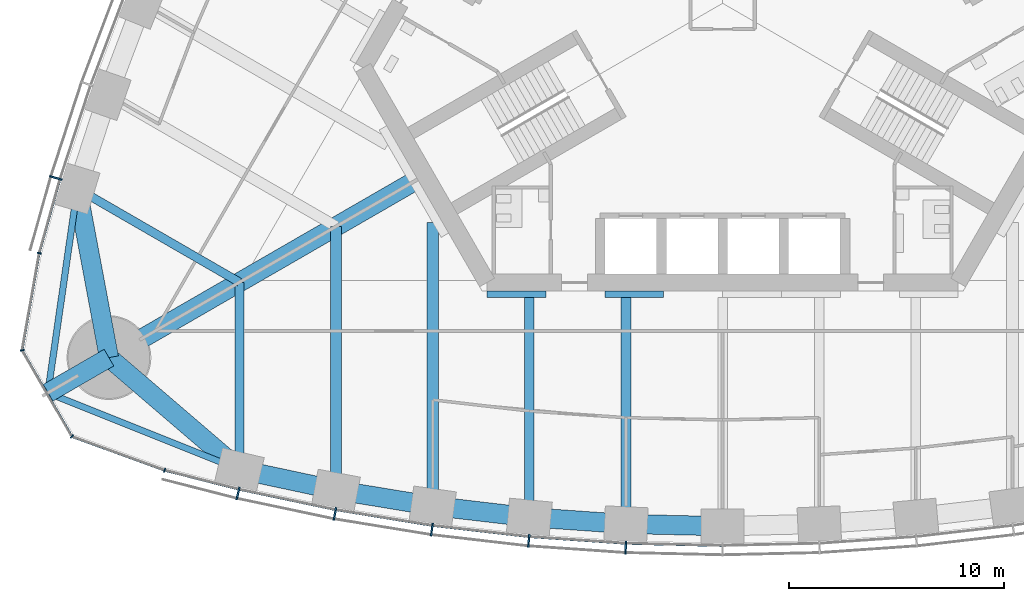
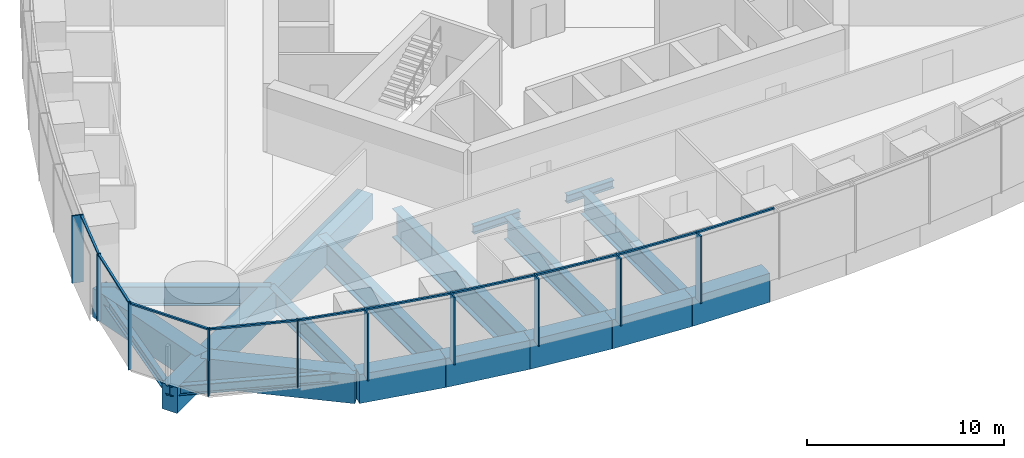
# One storey, part 2 of 19: 20 members, 19 beams, 3 elements without a shape of their own.
"""IFC4 building model written with IfcOpenShell, lengths in metres."""

from ifc_helpers import new_model, si_unit, direction, frame, origin, origin_2d, place, context, subcontext, project, spatial, rectangle, i_section, extrude, material, material_profile, profile_set, type_object, element, aggregate, save


model = new_model("IFC4")

# Units and contexts
model_context = context("Model", 3, precision=1e-05, world=origin(), true_north=direction((0.0, 1.0)))
body_context = subcontext(model_context, "Body", "Model", "MODEL_VIEW")
ifc_project = project(units=[si_unit("LENGTHUNIT", "METRE"), si_unit("AREAUNIT", "SQUARE_METRE"), si_unit("VOLUMEUNIT", "CUBIC_METRE"), si_unit("PLANEANGLEUNIT", "RADIAN"), si_unit("MASSUNIT", "GRAM", prefix="KILO")], contexts=[model_context])

# Site, building, storey
site_placement = place(None, origin())
site = spatial("IfcSite", under=ifc_project, at=site_placement, CompositionType="ELEMENT")
building_placement = place(site_placement, origin())
building = spatial("IfcBuilding", under=site, at=building_placement, Name="Trefoil Bronze Tower", CompositionType="ELEMENT")
storey_placement = place(building_placement, frame((0.0, 0.0, 193.89990234375)))
storey = spatial("IfcBuildingStorey", under=building, at=storey_placement, Name="L44", CompositionType="ELEMENT", Elevation=193.89990234375)

# Curtain wall, members
ifc_material_1 = material(Name="Tinted solar-control glass", Category="glass")
curtain_wall_type_1 = type_object("IfcCurtainWallType", Name="Bronze office curtain wall", PredefinedType="USERDEFINED", material=ifc_material_1)
curtain_wall_1_placement = place(storey_placement, origin())
curtain_wall_1 = element("IfcCurtainWall", 1, at=curtain_wall_1_placement, inside=storey, type_object=curtain_wall_type_1, Name="CW-A L44 F1", ObjectType="CURTAIN WALL", PredefinedType="USERDEFINED")
ifc_material_2 = material(Name="Bronze-finish aluminium", Category="aluminium")
ifc_material_profile_1 = material_profile(ifc_material_2, rectangle(XDim=0.60009765625, YDim=0.080078125, at=origin_2d()), Name="CW-A mullion")
ifc_profile_set_1 = profile_set([ifc_material_profile_1], Name="Bronze-finish aluminium")
member_type_1 = type_object("IfcMemberType", Name="Bronze office curtain wall mullion", PredefinedType="MULLION", material=ifc_profile_set_1)
member_1_placement = place(storey_placement, frame((-22.568115234375, -22.82421875, 0.0), z_axis=(0.0, 0.0, 1.0), x_axis=(0.227082662569, 0.973875487093, 0.0)))
member_1 = element("IfcMember", 2, at=member_1_placement, type_object=member_type_1, Name="CW-A L44 F1 mullion 2", PredefinedType="MULLION", context=body_context, shape_type="SweptSolid", body=[
    extrude(rectangle(XDim=0.60009765625, YDim=0.080078125, at=origin_2d()), origin(), (0.0, 0.0, 1.0), 4.18017578125),
])
member_2_placement = place(storey_placement, frame((-18.05517578125, -23.77783203125, 0.0), z_axis=(0.0, 0.0, 1.0), x_axis=(0.183825368167, 0.982958917767, 0.0)))
member_2 = element("IfcMember", 3, at=member_2_placement, type_object=member_type_1, Name="CW-A L44 F1 mullion 3", PredefinedType="MULLION", context=body_context, shape_type="SweptSolid", body=[
    extrude(rectangle(XDim=0.60009765625, YDim=0.080078125, at=origin_2d()), origin(), (0.0, 0.0, 1.0), 4.18017578125),
])
member_3_placement = place(storey_placement, frame((-13.541259765625, -24.51318359375, 0.0), z_axis=(0.0, 0.0, 1.0), x_axis=(0.137867887204, 0.990450627582, 0.0)))
member_3 = element("IfcMember", 4, at=member_3_placement, type_object=member_type_1, Name="CW-A L44 F1 mullion 4", PredefinedType="MULLION", context=body_context, shape_type="SweptSolid", body=[
    extrude(rectangle(XDim=0.60009765625, YDim=0.080078125, at=origin_2d()), origin(), (0.0, 0.0, 1.0), 4.18017578125),
])
member_4_placement = place(storey_placement, frame((-9.027587890625, -25.03515625, 0.0), z_axis=(0.0, 0.0, 1.0), x_axis=(0.091911396394, 0.995767189263, 0.0)))
member_4 = element("IfcMember", 5, at=member_4_placement, type_object=member_type_1, Name="CW-A L44 F1 mullion 5", PredefinedType="MULLION", context=body_context, shape_type="SweptSolid", body=[
    extrude(rectangle(XDim=0.60009765625, YDim=0.080078125, at=origin_2d()), origin(), (0.0, 0.0, 1.0), 4.18017578125),
])
member_5_placement = place(storey_placement, frame((-4.513671875, -25.346923828125, 0.0), z_axis=(0.0, 0.0, 1.0), x_axis=(0.045955542372, 0.998943485952, 0.0)))
member_5 = element("IfcMember", 6, at=member_5_placement, type_object=member_type_1, Name="CW-A L44 F1 mullion 6", PredefinedType="MULLION", context=body_context, shape_type="SweptSolid", body=[
    extrude(rectangle(XDim=0.60009765625, YDim=0.080078125, at=origin_2d()), origin(), (0.0, 0.0, 1.0), 4.18017578125),
])

# Curtain wall, member
curtain_wall_2_placement = place(storey_placement, origin())
curtain_wall_2 = element("IfcCurtainWall", 7, at=curtain_wall_2_placement, inside=storey, type_object=curtain_wall_type_1, Name="CW-A L44 F3", ObjectType="CURTAIN WALL", PredefinedType="USERDEFINED")
member_6_placement = place(storey_placement, frame((-31.05029296875, -8.132568359375, 0.0), z_axis=(0.0, 0.0, 1.0), x_axis=(0.95694224323, -0.290278389002, 0.0)))
member_6 = element("IfcMember", 8, at=member_6_placement, type_object=member_type_1, Name="CW-A L44 F3 mullion 12", PredefinedType="MULLION", context=body_context, shape_type="SweptSolid", body=[
    extrude(rectangle(XDim=0.60009765625, YDim=0.080078125, at=origin_2d()), origin(), (0.0, 0.0, 1.0), 4.18017578125),
])

# Member
ifc_material_3 = material(Name="Bronze-finish aluminium", Category="aluminium")
ifc_material_profile_2 = material_profile(ifc_material_3, rectangle(XDim=0.1201171875, YDim=0.10009765625, at=origin_2d()), Name="CW-A transom")
ifc_profile_set_2 = profile_set([ifc_material_profile_2], Name="Bronze-finish aluminium")
member_type_2 = type_object("IfcMemberType", Name="Bronze office curtain wall transom", PredefinedType="USERDEFINED", material=ifc_profile_set_2)
member_7_placement = place(storey_placement, frame((-25.93896484375, -21.75732421875, 4.130126953125), z_axis=(0.968935220916, -0.247314653162, 0.0), x_axis=(0.247314653162, 0.968935220916, 0.0)))
member_7 = element("IfcMember", 9, at=member_7_placement, type_object=member_type_2, Name="CW-A L44 F1 transom 1", ObjectType="TRANSOM", PredefinedType="USERDEFINED", context=body_context, shape_type="SweptSolid", body=[
    extrude(rectangle(XDim=0.1201171875, YDim=0.10009765625, at=origin_2d()), origin(), (0.0, 0.0, 1.0), 3.483642578125),
])

member_8_placement = place(storey_placement, frame((-22.4814453125, -22.63818359375, 4.130126953125), z_axis=(0.978395325657, -0.20674280334, 0.0), x_axis=(0.20674280334, 0.978395325657, 0.0)))
member_8 = element("IfcMember", 10, at=member_8_placement, type_object=member_type_2, Name="CW-A L44 F1 transom 2", ObjectType="TRANSOM", PredefinedType="USERDEFINED", context=body_context, shape_type="SweptSolid", body=[
    extrude(rectangle(XDim=0.1201171875, YDim=0.10009765625, at=origin_2d()), origin(), (0.0, 0.0, 1.0), 4.519287109375),
])

member_9_placement = place(storey_placement, frame((-17.9765625, -23.588134765625, 4.130126953125), z_axis=(0.986988367046, -0.160791676761, 0.0), x_axis=(0.160791676761, 0.986988367046, 0.0)))
member_9 = element("IfcMember", 11, at=member_9_placement, type_object=member_type_2, Name="CW-A L44 F1 transom 3", ObjectType="TRANSOM", PredefinedType="USERDEFINED", context=body_context, shape_type="SweptSolid", body=[
    extrude(rectangle(XDim=0.1201171875, YDim=0.10009765625, at=origin_2d()), origin(), (0.0, 0.0, 1.0), 4.479248046875),
])

member_10_placement = place(storey_placement, frame((-13.4716796875, -24.320068359375, 4.130126953125), z_axis=(0.993384885596, -0.114832352013, 0.0), x_axis=(0.114832352013, 0.993384885596, 0.0)))
member_10 = element("IfcMember", 12, at=member_10_placement, type_object=member_type_2, Name="CW-A L44 F1 transom 4", ObjectType="TRANSOM", PredefinedType="USERDEFINED", context=body_context, shape_type="SweptSolid", body=[
    extrude(rectangle(XDim=0.1201171875, YDim=0.10009765625, at=origin_2d()), origin(), (0.0, 0.0, 1.0), 4.449951171875),
])

member_11_placement = place(storey_placement, frame((-8.967041015625, -24.8388671875, 4.130126953125), z_axis=(0.997621320987, -0.06893257512, 0.0), x_axis=(0.06893257512, 0.997621320987, 0.0)))
member_11 = element("IfcMember", 13, at=member_11_placement, type_object=member_type_2, Name="CW-A L44 F1 transom 5", ObjectType="TRANSOM", PredefinedType="USERDEFINED", context=body_context, shape_type="SweptSolid", body=[
    extrude(rectangle(XDim=0.1201171875, YDim=0.10009765625, at=origin_2d()), origin(), (0.0, 0.0, 1.0), 4.4306640625),
])

member_12_placement = place(storey_placement, frame((-4.46240234375, -25.148193359375, 4.130126953125), z_axis=(0.999736131416, -0.022971015226, 0.0), x_axis=(0.022971015226, 0.999736131416, 0.0)))
member_12 = element("IfcMember", 14, at=member_12_placement, type_object=member_type_2, Name="CW-A L44 F1 transom 6", ObjectType="TRANSOM", PredefinedType="USERDEFINED", context=body_context, shape_type="SweptSolid", body=[
    extrude(rectangle(XDim=0.1201171875, YDim=0.10009765625, at=origin_2d()), origin(), (0.0, 0.0, 1.0), 4.42138671875),
])

aggregate(curtain_wall_1, [member_1, member_2, member_3, member_4, member_5, member_7, member_8, member_9, member_10, member_11, member_12])

member_13_placement = place(storey_placement, frame((-30.870361328125, -8.23095703125, 4.130126953125), z_axis=(-0.270284880437, -0.962780392097, 0.0), x_axis=(0.962780392097, -0.270284880437, 0.0)))
member_13 = element("IfcMember", 15, at=member_13_placement, type_object=member_type_2, Name="CW-A L44 F3 transom 12", ObjectType="TRANSOM", PredefinedType="USERDEFINED", context=body_context, shape_type="SweptSolid", body=[
    extrude(rectangle(XDim=0.1201171875, YDim=0.10009765625, at=origin_2d()), origin(), (0.0, 0.0, 1.0), 3.48388671875),
])

aggregate(curtain_wall_2, [member_6, member_13])

# Curtain wall, members
ifc_material_4 = material(Name="Tinted solar-control glass", Category="glass")
curtain_wall_type_2 = type_object("IfcCurtainWallType", Name="Bronze rounded corner curtain wall", PredefinedType="USERDEFINED", material=ifc_material_4)
curtain_wall_3_placement = place(storey_placement, origin())
curtain_wall_3 = element("IfcCurtainWall", 16, at=curtain_wall_3_placement, inside=storey, type_object=curtain_wall_type_2, Name="CW-B L44 K3", ObjectType="CURTAIN WALL", PredefinedType="USERDEFINED")
ifc_material_5 = material(Name="Bronze-finish aluminium", Category="aluminium")
ifc_material_profile_3 = material_profile(ifc_material_5, rectangle(XDim=0.199951171875, YDim=0.06005859375, at=origin_2d()), Name="CW-B mullion")
ifc_profile_set_3 = profile_set([ifc_material_profile_3], Name="Bronze-finish aluminium")
member_type_3 = type_object("IfcMemberType", Name="Bronze rounded corner curtain wall mullion", PredefinedType="MULLION", material=ifc_profile_set_3)
member_14_placement = place(storey_placement, frame((-31.824951171875, -11.63330078125, 0.0), z_axis=(0.0, 0.0, 1.0), x_axis=(0.984807753012, -0.173648177667, 0.0)))
member_14 = element("IfcMember", 17, at=member_14_placement, type_object=member_type_3, Name="CW-B L44 K3 mullion 1", PredefinedType="MULLION", context=body_context, shape_type="SweptSolid", body=[
    extrude(rectangle(XDim=0.199951171875, YDim=0.06005859375, at=origin_2d()), origin(), (0.0, 0.0, 1.0), 4.18017578125),
])
member_15_placement = place(storey_placement, frame((-32.616943359375, -16.158935546875, 0.0), z_axis=(0.0, 0.0, 1.0), x_axis=(0.984807753012, 0.173648177667, 0.0)))
member_15 = element("IfcMember", 18, at=member_15_placement, type_object=member_type_3, Name="CW-B L44 K3 mullion 2", PredefinedType="MULLION", context=body_context, shape_type="SweptSolid", body=[
    extrude(rectangle(XDim=0.199951171875, YDim=0.06005859375, at=origin_2d()), origin(), (0.0, 0.0, 1.0), 4.18017578125),
])
member_16_placement = place(storey_placement, frame((-30.302490234375, -20.16748046875, 0.0), z_axis=(0.0, 0.0, 1.0), x_axis=(0.642787609687, 0.766044443119, 0.0)))
member_16 = element("IfcMember", 19, at=member_16_placement, type_object=member_type_3, Name="CW-B L44 K3 mullion 3", PredefinedType="MULLION", context=body_context, shape_type="SweptSolid", body=[
    extrude(rectangle(XDim=0.199951171875, YDim=0.06005859375, at=origin_2d()), origin(), (0.0, 0.0, 1.0), 4.18017578125),
])
member_17_placement = place(storey_placement, frame((-25.9873046875, -21.74462890625, 0.0), z_axis=(0.0, 0.0, 1.0), x_axis=(0.342020143326, 0.939692620786, 0.0)))
member_17 = element("IfcMember", 20, at=member_17_placement, type_object=member_type_3, Name="CW-B L44 K3 mullion 4", PredefinedType="MULLION", context=body_context, shape_type="SweptSolid", body=[
    extrude(rectangle(XDim=0.199951171875, YDim=0.06005859375, at=origin_2d()), origin(), (0.0, 0.0, 1.0), 4.18017578125),
])
ifc_material_6 = material(Name="Bronze-finish aluminium", Category="aluminium")
ifc_material_profile_4 = material_profile(ifc_material_6, rectangle(XDim=0.1201171875, YDim=0.10009765625, at=origin_2d()), Name="CW-B transom")
ifc_profile_set_4 = profile_set([ifc_material_profile_4], Name="Bronze-finish aluminium")
member_type_4 = type_object("IfcMemberType", Name="Bronze rounded corner curtain wall transom", PredefinedType="USERDEFINED", material=ifc_profile_set_4)
member_18_placement = place(storey_placement, frame((-31.830078125, -11.662841796875, 4.130126953125), z_axis=(-0.173655350028, -0.984806488304, 0.0), x_axis=(0.984806488304, -0.173655350028, 0.0)))
member_18 = element("IfcMember", 21, at=member_18_placement, type_object=member_type_4, Name="CW-B L44 K3 transom 1", ObjectType="TRANSOM", PredefinedType="USERDEFINED", context=body_context, shape_type="SweptSolid", body=[
    extrude(rectangle(XDim=0.1201171875, YDim=0.10009765625, at=origin_2d()), origin(), (0.0, 0.0, 1.0), 4.500244140625),
])
member_19_placement = place(storey_placement, frame((-32.590087890625, -16.217529296875, 4.130126953125), z_axis=(0.500007335828, -0.866021168401, 0.0), x_axis=(0.866021168401, 0.500007335828, 0.0)))
member_19 = element("IfcMember", 22, at=member_19_placement, type_object=member_type_4, Name="CW-B L44 K3 transom 2", ObjectType="TRANSOM", PredefinedType="USERDEFINED", context=body_context, shape_type="SweptSolid", body=[
    extrude(rectangle(XDim=0.1201171875, YDim=0.10009765625, at=origin_2d()), origin(), (0.0, 0.0, 1.0), 4.50048828125),
])
member_20_placement = place(storey_placement, frame((-30.244140625, -20.195068359375, 4.130126953125), z_axis=(0.939680910753, -0.342052314664, 0.0), x_axis=(0.342052314664, 0.939680910753, 0.0)))
member_20 = element("IfcMember", 23, at=member_20_placement, type_object=member_type_4, Name="CW-B L44 K3 transom 3", ObjectType="TRANSOM", PredefinedType="USERDEFINED", context=body_context, shape_type="SweptSolid", body=[
    extrude(rectangle(XDim=0.1201171875, YDim=0.10009765625, at=origin_2d()), origin(), (0.0, 0.0, 1.0), 4.500244140625),
])
aggregate(curtain_wall_3, [member_14, member_15, member_16, member_17, member_18, member_19, member_20])

# Beams
ifc_material_7 = material(Name="Steel C355", Category="steel")
ifc_material_profile_5 = material_profile(ifc_material_7, i_section(OverallWidth=0.300048828125, OverallDepth=0.5, WebThickness=0.014404296875, FlangeThickness=0.028076171875, FilletRadius=0.027099609375, at=origin_2d()), Name="HEB 500")
ifc_profile_set_5 = profile_set([ifc_material_profile_5], Name="Steel C355")
beam_type_1 = type_object("IfcBeamType", Name="Core seat beam HEB 500", PredefinedType="BEAM", material=ifc_profile_set_5)
for number, where, z_axis, x_axis, name in (
    (24, (-10.9697265625, -13.550048828125, -0.449951171875), (1.0, 0.0, 0.0), (0.0, 1.0, 0.0), "Core seat beam F1/-2 L44"),
    (25, (-5.48486328125, -13.550048828125, -0.449951171875), (1.0, 0.0, 0.0), (0.0, 1.0, 0.0), "Core seat beam F1/-1 L44"),
):
    element("IfcBeam", number, at=place(storey_placement, frame(where, z_axis=z_axis, x_axis=x_axis)), inside=storey, type_object=beam_type_1, Name=name, PredefinedType="BEAM", context=body_context, shape_type="SweptSolid", body=[
        extrude(i_section(OverallWidth=0.300048828125, OverallDepth=0.5, WebThickness=0.014404296875, FlangeThickness=0.028076171875, FilletRadius=0.027099609375, at=origin_2d()), origin(), (0.0, 0.0, 1.0), 2.742431640625),
    ])
ifc_material_8 = material(Name="Concrete B80", Category="concrete")
ifc_material_profile_6 = material_profile(ifc_material_8, rectangle(XDim=0.89990234375, YDim=1.60009765625, at=origin_2d()), Name="RC 900x1600")
ifc_profile_set_6 = profile_set([ifc_material_profile_6], Name="Concrete B80")
beam_type_2 = type_object("IfcBeamType", Name="Corner cantilever RC 900x1600", PredefinedType="BEAM", material=ifc_profile_set_6)
beam_1_placement = place(storey_placement, frame((-28.578857421875, -16.5, -1.0), z_axis=(-0.866016004958, -0.500016278891, 0.0), x_axis=(0.500016278891, -0.866016004958, 0.0)))
element("IfcBeam", 26, at=beam_1_placement, inside=storey, type_object=beam_type_2, Name="Corner cantilever K3 L44", PredefinedType="BEAM", context=body_context, shape_type="SweptSolid", body=[
    extrude(rectangle(XDim=0.89990234375, YDim=1.60009765625, at=origin_2d()), origin(), (0.0, 0.0, 1.0), 3.28466796875),
])
ifc_material_9 = material(Name="Steel C355", Category="steel")
ifc_material_profile_7 = material_profile(ifc_material_9, i_section(OverallWidth=0.300048828125, OverallDepth=0.60009765625, WebThickness=0.015380859375, FlangeThickness=0.030029296875, FilletRadius=0.027099609375, at=origin_2d()), Name="HEB 600")
ifc_profile_set_7 = profile_set([ifc_material_profile_7], Name="Steel C355")
beam_type_3 = type_object("IfcBeamType", Name="Corner edge beam HEB 600", PredefinedType="BEAM", material=ifc_profile_set_7)
for number, where, z_axis, x_axis, name in (
    (27, (-22.5, -21.71044921875, -0.5), (-0.92852048463, 0.371281173266, 0.0), (-0.371281173266, -0.92852048463, 0.0), "Corner edge beam F1B L44"),
    (28, (-30.052001953125, -8.63037109375, -0.5), (-0.142694489722, -0.989766781925, 0.0), (0.989766781925, -0.142694489722, 0.0), "Corner edge beam F3A L44"),
):
    element("IfcBeam", number, at=place(storey_placement, frame(where, z_axis=z_axis, x_axis=x_axis)), inside=storey, type_object=beam_type_3, Name=name, PredefinedType="BEAM", context=body_context, shape_type="SweptSolid", body=[
        extrude(i_section(OverallWidth=0.300048828125, OverallDepth=0.60009765625, WebThickness=0.015380859375, FlangeThickness=0.030029296875, FilletRadius=0.027099609375, at=origin_2d()), origin(), (0.0, 0.0, 1.0), 9.6103515625),
    ])
ifc_material_10 = material(Name="Concrete B80", Category="concrete")
ifc_material_profile_8 = material_profile(ifc_material_10, rectangle(XDim=0.89990234375, YDim=1.60009765625, at=origin_2d()), Name="RC 900x1600")
ifc_profile_set_8 = profile_set([ifc_material_profile_8], Name="Concrete B80")
beam_type_4 = type_object("IfcBeamType", Name="Corner girder RC 900x1600", PredefinedType="BEAM", material=ifc_profile_set_8)
beam_2_placement = place(storey_placement, frame((-14.202880859375, -8.199951171875, -1.0), z_axis=(-0.866023450265, -0.500003383579, 0.0), x_axis=(0.500003383579, -0.866023450265, 0.0)))
element("IfcBeam", 29, at=beam_2_placement, inside=storey, type_object=beam_type_4, Name="Corner girder K3 L44", PredefinedType="BEAM", context=body_context, shape_type="SweptSolid", body=[
    extrude(rectangle(XDim=0.89990234375, YDim=1.60009765625, at=origin_2d()), origin(), (0.0, 0.0, 1.0), 16.60009765625),
])
ifc_material_11 = material(Name="Concrete B80", Category="concrete")
ifc_material_profile_9 = material_profile(ifc_material_11, rectangle(XDim=0.89990234375, YDim=1.800048828125, at=origin_2d()), Name="RC 900x1800")
ifc_profile_set_9 = profile_set([ifc_material_profile_9], Name="Concrete B80")
beam_type_5 = type_object("IfcBeamType", Name="End spandrel beam RC 900x1800", PredefinedType="SPANDREL", material=ifc_profile_set_9)
for number, where, z_axis, x_axis, name in (
    (30, (-28.578857421875, -16.5, -1.099853515625), (0.759256602365, -0.650791373456, 0.0), (0.650791373456, 0.759256602365, 0.0), "Spandrel F1.1 L44"),
    (31, (-30.052001953125, -8.63037109375, -1.099853515625), (0.18399763073, -0.982926686933, 0.0), (0.982926686933, 0.18399763073, 0.0), "Spandrel F3.12 L44"),
):
    element("IfcBeam", number, at=place(storey_placement, frame(where, z_axis=z_axis, x_axis=x_axis)), inside=storey, type_object=beam_type_5, Name=name, PredefinedType="SPANDREL", context=body_context, shape_type="SweptSolid", body=[
        extrude(rectangle(XDim=0.89990234375, YDim=1.800048828125, at=origin_2d()), origin(), (0.0, 0.0, 1.0), 8.00634765625),
    ])
ifc_material_12 = material(Name="Steel C355", Category="steel")
ifc_material_profile_10 = material_profile(ifc_material_12, i_section(OverallWidth=0.39990234375, OverallDepth=1.199951171875, WebThickness=0.02001953125, FlangeThickness=0.0400390625, FilletRadius=0.010009765625, at=origin_2d()), Name="WPG 1200")
ifc_profile_set_10 = profile_set([ifc_material_profile_10], Name="Steel C355")
beam_type_6 = type_object("IfcBeamType", Name="Floor beam WPG 1200", PredefinedType="BEAM", material=ifc_profile_set_10)
beam_3_placement = place(storey_placement, frame((-22.5, -21.71044921875, -0.7998046875), z_axis=(0.0, 1.0, 0.0), x_axis=(-1.0, 0.0, 0.0)))
element("IfcBeam", 32, at=beam_3_placement, inside=storey, type_object=beam_type_6, Name="Floor beam F1/-5 L44", PredefinedType="BEAM", context=body_context, shape_type="SweptSolid", body=[
    extrude(i_section(OverallWidth=0.39990234375, OverallDepth=1.199951171875, WebThickness=0.02001953125, FlangeThickness=0.0400390625, FilletRadius=0.010009765625, at=origin_2d()), origin(), (0.0, 0.0, 1.0), 8.719970703125),
])
beam_4_placement = place(storey_placement, frame((-30.052001953125, -8.63037109375, -0.7998046875), z_axis=(0.866027535932, -0.499996306993, 0.0), x_axis=(0.499996306993, 0.866027535932, 0.0)))
element("IfcBeam", 33, at=beam_4_placement, inside=storey, type_object=beam_type_6, Name="Floor beam F3/+5 L44", PredefinedType="BEAM", context=body_context, shape_type="SweptSolid", body=[
    extrude(i_section(OverallWidth=0.39990234375, OverallDepth=1.199951171875, WebThickness=0.02001953125, FlangeThickness=0.0400390625, FilletRadius=0.010009765625, at=origin_2d()), origin(), (0.0, 0.0, 1.0), 8.72021484375),
])
ifc_material_13 = material(Name="Steel C355", Category="steel")
ifc_material_profile_11 = material_profile(ifc_material_13, i_section(OverallWidth=0.449951171875, OverallDepth=1.39990234375, WebThickness=0.02294921875, FlangeThickness=0.044921875, FilletRadius=0.011962890625, at=origin_2d()), Name="WPG 1400")
ifc_profile_set_11 = profile_set([ifc_material_profile_11], Name="Steel C355")
beam_type_7 = type_object("IfcBeamType", Name="Floor beam WPG 1400", PredefinedType="BEAM", material=ifc_profile_set_11)
beam_5_placement = place(storey_placement, frame((-9.0, -23.932861328125, -0.89990234375), z_axis=(0.0, 1.0, 0.0), x_axis=(-1.0, 0.0, 0.0)))
element("IfcBeam", 34, at=beam_5_placement, inside=storey, type_object=beam_type_7, Name="Floor beam F1/-2 L44", PredefinedType="BEAM", context=body_context, shape_type="SweptSolid", body=[
    extrude(i_section(OverallWidth=0.449951171875, OverallDepth=1.39990234375, WebThickness=0.02294921875, FlangeThickness=0.044921875, FilletRadius=0.011962890625, at=origin_2d()), origin(), (0.0, 0.0, 1.0), 10.23291015625),
])
beam_6_placement = place(storey_placement, frame((-4.5, -24.246337890625, -0.89990234375), z_axis=(0.0, 1.0, 0.0), x_axis=(-1.0, 0.0, 0.0)))
element("IfcBeam", 35, at=beam_6_placement, inside=storey, type_object=beam_type_7, Name="Floor beam F1/-1 L44", PredefinedType="BEAM", context=body_context, shape_type="SweptSolid", body=[
    extrude(i_section(OverallWidth=0.449951171875, OverallDepth=1.39990234375, WebThickness=0.02294921875, FlangeThickness=0.044921875, FilletRadius=0.011962890625, at=origin_2d()), origin(), (0.0, 0.0, 1.0), 10.54638671875),
])
ifc_material_14 = material(Name="Steel C355", Category="steel")
ifc_material_profile_12 = material_profile(ifc_material_14, i_section(OverallWidth=0.5, OverallDepth=1.60009765625, WebThickness=0.02587890625, FlangeThickness=0.050048828125, FilletRadius=0.011962890625, at=origin_2d()), Name="WPG 1600")
ifc_profile_set_12 = profile_set([ifc_material_profile_12], Name="Steel C355")
beam_type_8 = type_object("IfcBeamType", Name="Floor beam WPG 1600", PredefinedType="BEAM", material=ifc_profile_set_12)
beam_7_placement = place(storey_placement, frame((-18.0, -22.6689453125, -1.0), z_axis=(0.0, 1.0, 0.0), x_axis=(-1.0, 0.0, 0.0)))
element("IfcBeam", 36, at=beam_7_placement, inside=storey, type_object=beam_type_8, Name="Floor beam F1/-4 L44", PredefinedType="BEAM", context=body_context, shape_type="SweptSolid", body=[
    extrude(i_section(OverallWidth=0.5, OverallDepth=1.60009765625, WebThickness=0.02587890625, FlangeThickness=0.050048828125, FilletRadius=0.011962890625, at=origin_2d()), origin(), (0.0, 0.0, 1.0), 12.276611328125),
])
ifc_material_15 = material(Name="Steel C355", Category="steel")
ifc_material_profile_13 = material_profile(ifc_material_15, i_section(OverallWidth=0.550048828125, OverallDepth=1.800048828125, WebThickness=0.029052734375, FlangeThickness=0.054931640625, FilletRadius=0.013916015625, at=origin_2d()), Name="WPG 1800")
ifc_profile_set_13 = profile_set([ifc_material_profile_13], Name="Steel C355")
beam_type_9 = type_object("IfcBeamType", Name="Floor beam WPG 1800", PredefinedType="BEAM", material=ifc_profile_set_13)
beam_8_placement = place(storey_placement, frame((-13.5, -23.408447265625, -1.099853515625), z_axis=(0.0, 1.0, 0.0), x_axis=(-1.0, 0.0, 0.0)))
element("IfcBeam", 37, at=beam_8_placement, inside=storey, type_object=beam_type_9, Name="Floor beam F1/-3 L44", PredefinedType="BEAM", context=body_context, shape_type="SweptSolid", body=[
    extrude(i_section(OverallWidth=0.550048828125, OverallDepth=1.800048828125, WebThickness=0.029052734375, FlangeThickness=0.054931640625, FilletRadius=0.013916015625, at=origin_2d()), origin(), (0.0, 0.0, 1.0), 13.191162109375),
])
ifc_material_16 = material(Name="Concrete B80", Category="concrete")
ifc_material_profile_14 = material_profile(ifc_material_16, rectangle(XDim=0.89990234375, YDim=1.800048828125, at=origin_2d()), Name="RC 900x1800")
ifc_profile_set_14 = profile_set([ifc_material_profile_14], Name="Concrete B80")
beam_type_10 = type_object("IfcBeamType", Name="Spandrel beam RC 900x1800", PredefinedType="SPANDREL", material=ifc_profile_set_14)
beam_9_placement = place(storey_placement, frame((-22.5, -21.71044921875, -1.099853515625), z_axis=(0.978059483036, -0.208325820877, 0.0), x_axis=(0.208325820877, 0.978059483036, 0.0)))
element("IfcBeam", 38, at=beam_9_placement, inside=storey, type_object=beam_type_10, Name="Spandrel F1.2 L44", PredefinedType="SPANDREL", context=body_context, shape_type="SweptSolid", body=[
    extrude(rectangle(XDim=0.89990234375, YDim=1.800048828125, at=origin_2d()), origin(), (0.0, 0.0, 1.0), 4.600830078125),
])
beam_10_placement = place(storey_placement, frame((-18.0, -22.6689453125, -1.099853515625), z_axis=(0.986764681833, -0.162158757664, 0.0), x_axis=(0.162158757664, 0.986764681833, 0.0)))
element("IfcBeam", 39, at=beam_10_placement, inside=storey, type_object=beam_type_10, Name="Spandrel F1.3 L44", PredefinedType="SPANDREL", context=body_context, shape_type="SweptSolid", body=[
    extrude(rectangle(XDim=0.89990234375, YDim=1.800048828125, at=origin_2d()), origin(), (0.0, 0.0, 1.0), 4.560302734375),
])
beam_11_placement = place(storey_placement, frame((-13.5, -23.408447265625, -1.099853515625), z_axis=(0.993278017132, -0.115753102257, 0.0), x_axis=(0.115753102257, 0.993278017132, 0.0)))
element("IfcBeam", 40, at=beam_11_placement, inside=storey, type_object=beam_type_10, Name="Spandrel F1.4 L44", PredefinedType="SPANDREL", context=body_context, shape_type="SweptSolid", body=[
    extrude(rectangle(XDim=0.89990234375, YDim=1.800048828125, at=origin_2d()), origin(), (0.0, 0.0, 1.0), 4.530517578125),
])
beam_12_placement = place(storey_placement, frame((-9.0, -23.932861328125, -1.099853515625), z_axis=(0.997582435881, -0.069493047291, 0.0), x_axis=(0.069493047291, 0.997582435881, 0.0)))
element("IfcBeam", 41, at=beam_12_placement, inside=storey, type_object=beam_type_10, Name="Spandrel F1.5 L44", PredefinedType="SPANDREL", context=body_context, shape_type="SweptSolid", body=[
    extrude(rectangle(XDim=0.89990234375, YDim=1.800048828125, at=origin_2d()), origin(), (0.0, 0.0, 1.0), 4.510986328125),
])
beam_13_placement = place(storey_placement, frame((-4.5, -24.246337890625, -1.099853515625), z_axis=(0.999731770792, -0.023160018779, 0.0), x_axis=(0.023160018779, 0.999731770792, 0.0)))
element("IfcBeam", 42, at=beam_13_placement, inside=storey, type_object=beam_type_10, Name="Spandrel F1.6 L44", PredefinedType="SPANDREL", context=body_context, shape_type="SweptSolid", body=[
    extrude(rectangle(XDim=0.89990234375, YDim=1.800048828125, at=origin_2d()), origin(), (0.0, 0.0, 1.0), 4.501220703125),
])

save(model, "model.ifc")
